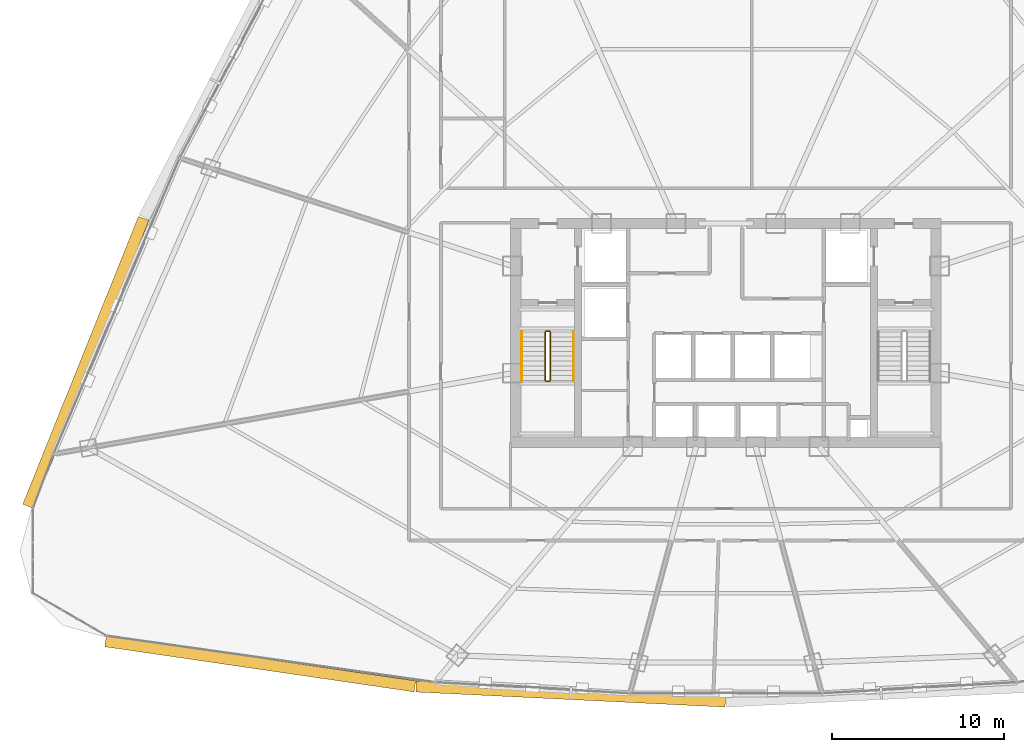
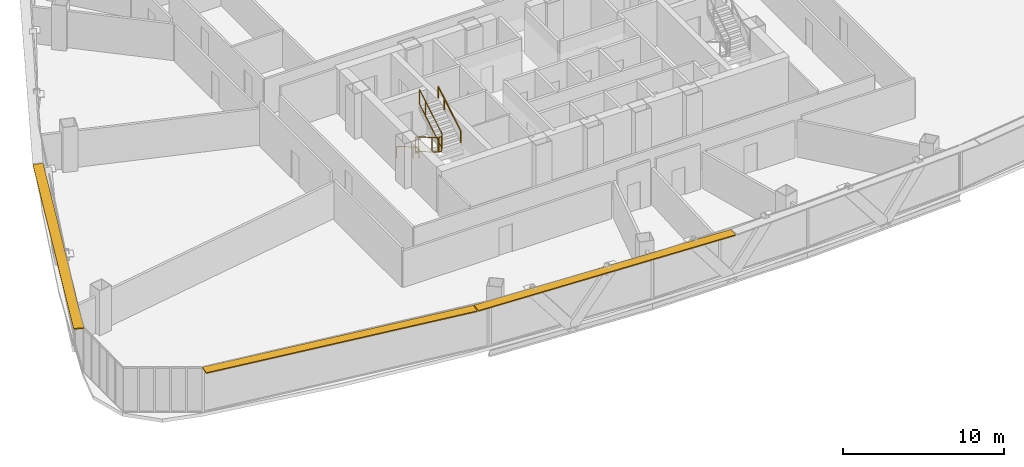
# One storey, part 39 of 42: 6 railings, 3 shading devices.
"""IFC4 building model written with IfcOpenShell, lengths in metres."""

from ifc_helpers import new_model, si_unit, direction, frame, origin, origin_2d, place, context, subcontext, project, spatial, rectangle, extrude, source, transform, mapped, material, layer, layer_set, type_object, element, save


model = new_model("IFC4")

# Units and contexts
model_context = context("Model", 3, precision=1e-05, world=origin(), true_north=direction((0.0, 1.0)))
body_context = subcontext(model_context, "Body", "Model", "MODEL_VIEW")
ifc_project = project(units=[si_unit("LENGTHUNIT", "METRE"), si_unit("AREAUNIT", "SQUARE_METRE"), si_unit("VOLUMEUNIT", "CUBIC_METRE"), si_unit("PLANEANGLEUNIT", "RADIAN"), si_unit("MASSUNIT", "GRAM", prefix="KILO"), si_unit("THERMODYNAMICTEMPERATUREUNIT", "KELVIN"), si_unit("POWERUNIT", "WATT")], contexts=[model_context])

# Site, building, storey
site_placement = place(None, origin())
site = spatial("IfcSite", under=ifc_project, at=site_placement, CompositionType="ELEMENT")
building_placement = place(site_placement, origin())
building = spatial("IfcBuilding", under=site, at=building_placement, Name="Yunzhuo Pagoda Commons", CompositionType="ELEMENT")
storey_placement = place(building_placement, frame((0.0, 0.0, 137.18994140625)))
storey = spatial("IfcBuildingStorey", under=building, at=storey_placement, Name="L34", CompositionType="ELEMENT", Elevation=137.18994140625)

# Railings
ifc_material = material(Name="Anodized aluminium 6063-T6", Category="aluminium")
railing_type_1 = type_object("IfcRailingType", Name="GR-ST1 Stair Well Guardrail 1150", PredefinedType="GUARDRAIL", material=ifc_material)
railing_1_placement = place(storey_placement, frame((37.5, 33.89990234375, 0.167236328125)))
element("IfcRailing", 1, at=railing_1_placement, inside=storey, type_object=railing_type_1, Name="L34 ST1 stair guard 1", PredefinedType="GUARDRAIL", context=body_context, shape_type="SweptSolid", body=[
    extrude(rectangle(XDim=0.048095703125, YDim=0.048095703125, at=origin_2d()), frame((0.0, 0.0, 1.1259765625), z_axis=(0.0, -0.858442565357, 0.512909701589), x_axis=(1.0, 0.0, 0.0)), (0.0, 0.0, 1.0), 3.261474609375),
    extrude(rectangle(XDim=0.048095703125, YDim=0.048095703125, at=origin_2d()), frame((0.0, 0.0, 0.02392578125), z_axis=(0.0, -0.858442565357, 0.512909701589), x_axis=(1.0, 0.0, 0.0)), (0.0, 0.0, 1.0), 3.261474609375),
    extrude(rectangle(XDim=0.0419921875, YDim=0.0419921875, at=origin_2d()), origin(), (0.0, 0.0, 1.0), 1.101806640625),
    extrude(rectangle(XDim=0.0419921875, YDim=0.0419921875, at=origin_2d()), frame((0.0, -2.060302734375, 1.23095703125)), (0.0, 0.0, 1.0), 1.101806640625),
    extrude(rectangle(XDim=0.0419921875, YDim=0.0419921875, at=origin_2d()), frame((0.0, -2.7998046875, 1.6728515625)), (0.0, 0.0, 1.0), 1.101806640625),
])
railing_2_placement = place(storey_placement, frame((37.550048828125, 31.050048828125, 1.840087890625)))
element("IfcRailing", 2, at=railing_2_placement, inside=storey, type_object=railing_type_1, Name="L34 ST1 stair guard 2", PredefinedType="GUARDRAIL", context=body_context, shape_type="SweptSolid", body=[
    extrude(rectangle(XDim=0.048095703125, YDim=0.048095703125, at=origin_2d()), frame((0.0, 0.0, 1.1259765625), z_axis=(1.0, 0.0, 0.0), x_axis=(0.0, 1.0, 0.0)), (0.0, 0.0, 1.0), 0.199951171875),
    extrude(rectangle(XDim=0.048095703125, YDim=0.048095703125, at=origin_2d()), frame((0.0, 0.0, 0.02392578125), z_axis=(1.0, 0.0, 0.0), x_axis=(0.0, 1.0, 0.0)), (0.0, 0.0, 1.0), 0.199951171875),
    extrude(rectangle(XDim=0.0419921875, YDim=0.0419921875, at=origin_2d()), origin(), (0.0, 0.0, 1.0), 1.101806640625),
    extrude(rectangle(XDim=0.0419921875, YDim=0.0419921875, at=origin_2d()), frame((0.199951171875, 0.0, 0.0)), (0.0, 0.0, 1.0), 1.101806640625),
])
railing_3_placement = place(storey_placement, frame((37.800048828125, 31.10009765625, 2.00732421875)))
element("IfcRailing", 3, at=railing_3_placement, inside=storey, type_object=railing_type_1, Name="L34 ST1 stair guard 3", PredefinedType="GUARDRAIL", context=body_context, shape_type="SweptSolid", body=[
    extrude(rectangle(XDim=0.048095703125, YDim=0.048095703125, at=origin_2d()), frame((0.0, 0.0, 1.1259765625), z_axis=(0.0, 0.858442565357, 0.512909701589), x_axis=(-1.0, 0.0, 0.0)), (0.0, 0.0, 1.0), 3.261474609375),
    extrude(rectangle(XDim=0.048095703125, YDim=0.048095703125, at=origin_2d()), frame((0.0, 0.0, 0.02392578125), z_axis=(0.0, 0.858442565357, 0.512909701589), x_axis=(-1.0, 0.0, 0.0)), (0.0, 0.0, 1.0), 3.261474609375),
    extrude(rectangle(XDim=0.0419921875, YDim=0.0419921875, at=origin_2d()), origin(), (0.0, 0.0, 1.0), 1.101806640625),
    extrude(rectangle(XDim=0.0419921875, YDim=0.0419921875, at=origin_2d()), frame((0.0, 2.060302734375, 1.23095703125)), (0.0, 0.0, 1.0), 1.101806640625),
    extrude(rectangle(XDim=0.0419921875, YDim=0.0419921875, at=origin_2d()), frame((0.0, 2.7998046875, 1.6728515625)), (0.0, 0.0, 1.0), 1.101806640625),
])
railing_4_placement = place(storey_placement, frame((37.550048828125, 33.949951171875, 0.0)))
element("IfcRailing", 4, at=railing_4_placement, inside=storey, type_object=railing_type_1, Name="L34 ST1 stair guard 4", PredefinedType="GUARDRAIL", context=body_context, shape_type="SweptSolid", body=[
    extrude(rectangle(XDim=0.048095703125, YDim=0.048095703125, at=origin_2d()), frame((0.0, 0.0, 1.1259765625), z_axis=(1.0, 0.0, 0.0), x_axis=(0.0, 1.0, 0.0)), (0.0, 0.0, 1.0), 0.199951171875),
    extrude(rectangle(XDim=0.048095703125, YDim=0.048095703125, at=origin_2d()), frame((0.0, 0.0, 0.02392578125), z_axis=(1.0, 0.0, 0.0), x_axis=(0.0, 1.0, 0.0)), (0.0, 0.0, 1.0), 0.199951171875),
    extrude(rectangle(XDim=0.0419921875, YDim=0.0419921875, at=origin_2d()), origin(), (0.0, 0.0, 1.0), 1.101806640625),
    extrude(rectangle(XDim=0.0419921875, YDim=0.0419921875, at=origin_2d()), frame((0.199951171875, 0.0, 0.0)), (0.0, 0.0, 1.0), 1.101806640625),
])
railing_type_2 = type_object("IfcRailingType", Name="HR-ST1 Stair Handrail 900", PredefinedType="HANDRAIL", material=ifc_material)
railing_5_placement = place(storey_placement, frame((36.14990234375, 33.89990234375, 0.167236328125)))
element("IfcRailing", 5, at=railing_5_placement, inside=storey, type_object=railing_type_2, Name="L34 ST1 stair handrail 1", PredefinedType="HANDRAIL", context=body_context, shape_type="SweptSolid", body=[
    extrude(rectangle(XDim=0.048095703125, YDim=0.048095703125, at=origin_2d()), frame((0.0, 0.0, 0.8759765625), z_axis=(0.0, -0.858442565357, 0.512909701589), x_axis=(1.0, 0.0, 0.0)), (0.0, 0.0, 1.0), 3.261474609375),
    extrude(rectangle(XDim=0.0419921875, YDim=0.0419921875, at=origin_2d()), origin(), (0.0, 0.0, 1.0), 0.851806640625),
    extrude(rectangle(XDim=0.0419921875, YDim=0.0419921875, at=origin_2d()), frame((0.0, -2.060302734375, 1.23095703125)), (0.0, 0.0, 1.0), 0.851806640625),
    extrude(rectangle(XDim=0.0419921875, YDim=0.0419921875, at=origin_2d()), frame((0.0, -2.7998046875, 1.6728515625)), (0.0, 0.0, 1.0), 0.851806640625),
])
railing_6_placement = place(storey_placement, frame((39.14990234375, 31.10009765625, 2.00732421875)))
element("IfcRailing", 6, at=railing_6_placement, inside=storey, type_object=railing_type_2, Name="L34 ST1 stair handrail 2", PredefinedType="HANDRAIL", context=body_context, shape_type="SweptSolid", body=[
    extrude(rectangle(XDim=0.048095703125, YDim=0.048095703125, at=origin_2d()), frame((0.0, 0.0, 0.8759765625), z_axis=(0.0, 0.858442565357, 0.512909701589), x_axis=(-1.0, 0.0, 0.0)), (0.0, 0.0, 1.0), 3.261474609375),
    extrude(rectangle(XDim=0.0419921875, YDim=0.0419921875, at=origin_2d()), origin(), (0.0, 0.0, 1.0), 0.851806640625),
    extrude(rectangle(XDim=0.0419921875, YDim=0.0419921875, at=origin_2d()), frame((0.0, 2.060302734375, 1.23095703125)), (0.0, 0.0, 1.0), 0.851806640625),
    extrude(rectangle(XDim=0.0419921875, YDim=0.0419921875, at=origin_2d()), frame((0.0, 2.7998046875, 1.6728515625)), (0.0, 0.0, 1.0), 0.851806640625),
])

# Shading devices
ifc_layer = layer(ifc_material, 0.080078125)
ifc_layer_set = layer_set([ifc_layer], Name="Anodized aluminium 6063-T6")
shading_device_type = type_object("IfcShadingDeviceType", Name="SH-SUN1 Pagoda Horizontal Sunshade Eave 650", PredefinedType="USERDEFINED", material=ifc_layer_set)
shared_shape_1 = source(origin(), body_context, "Body", "SweptSolid", [
    extrude(rectangle(XDim=18.156982421875, YDim=0.64990234375, at=origin_2d()), origin(), (0.0, 0.0, 1.0), 0.080078125),
])
shading_device_1_placement = place(storey_placement, frame((20.956298828125, 14.6376953125, 3.340087890625), z_axis=(0.0, 0.0, 1.0), x_axis=(0.989510666697, -0.144459823108, 0.0)))
element("IfcShadingDevice", 7, at=shading_device_1_placement, inside=storey, type_object=shading_device_type, Name="L34 horizontal pagoda sunshade eave F1.1", ObjectType="SUNSHADE", PredefinedType="USERDEFINED", context=body_context, shape_type="MappedRepresentation", body=[
    mapped(shared_shape_1, transform((0.0, 0.0, 0.0), scale=1.0)),
])
shared_shape_2 = source(origin(), body_context, "Body", "SweptSolid", [
    extrude(rectangle(XDim=17.9873046875, YDim=0.64990234375, at=origin_2d()), origin(), (0.0, 0.0, 1.0), 0.080078125),
])
shading_device_2_placement = place(storey_placement, frame((38.9853515625, 12.88330078125, 3.340087890625), z_axis=(0.0, 0.0, 1.0), x_axis=(0.998818043775, -0.04860571396, 0.0)))
element("IfcShadingDevice", 8, at=shading_device_2_placement, inside=storey, type_object=shading_device_type, Name="L34 horizontal pagoda sunshade eave F1.2", ObjectType="SUNSHADE", PredefinedType="USERDEFINED", context=body_context, shape_type="MappedRepresentation", body=[
    mapped(shared_shape_2, transform((0.0, 0.0, 0.0), scale=1.0)),
])
shared_shape_3 = source(origin(), body_context, "Body", "SweptSolid", [
    extrude(rectangle(XDim=18.010986328125, YDim=0.64990234375, at=origin_2d()), origin(), (0.0, 0.0, 1.0), 0.080078125),
])
shading_device_3_placement = place(storey_placement, frame((10.830322265625, 32.144775390625, 3.340087890625), z_axis=(0.0, 0.0, 1.0), x_axis=(-0.372987782576, -0.927836253899, 0.0)))
element("IfcShadingDevice", 9, at=shading_device_3_placement, inside=storey, type_object=shading_device_type, Name="L34 horizontal pagoda sunshade eave F3.4", ObjectType="SUNSHADE", PredefinedType="USERDEFINED", context=body_context, shape_type="MappedRepresentation", body=[
    mapped(shared_shape_3, transform((0.0, 0.0, 0.0), scale=1.0)),
])

save(model, "model.ifc")
